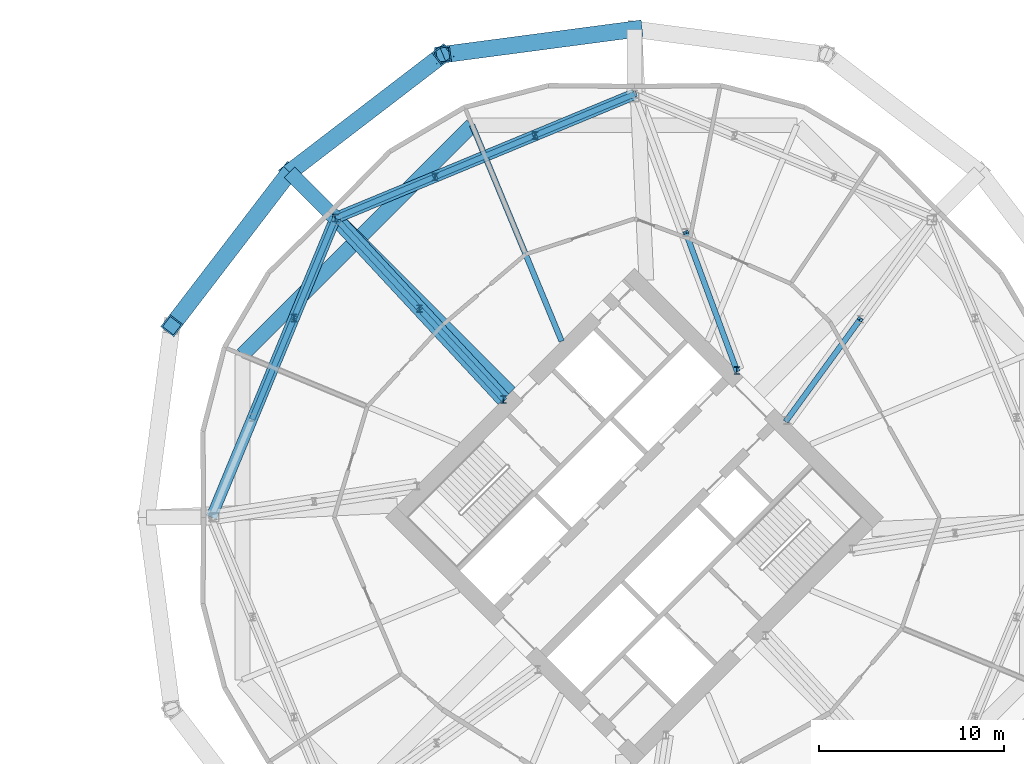
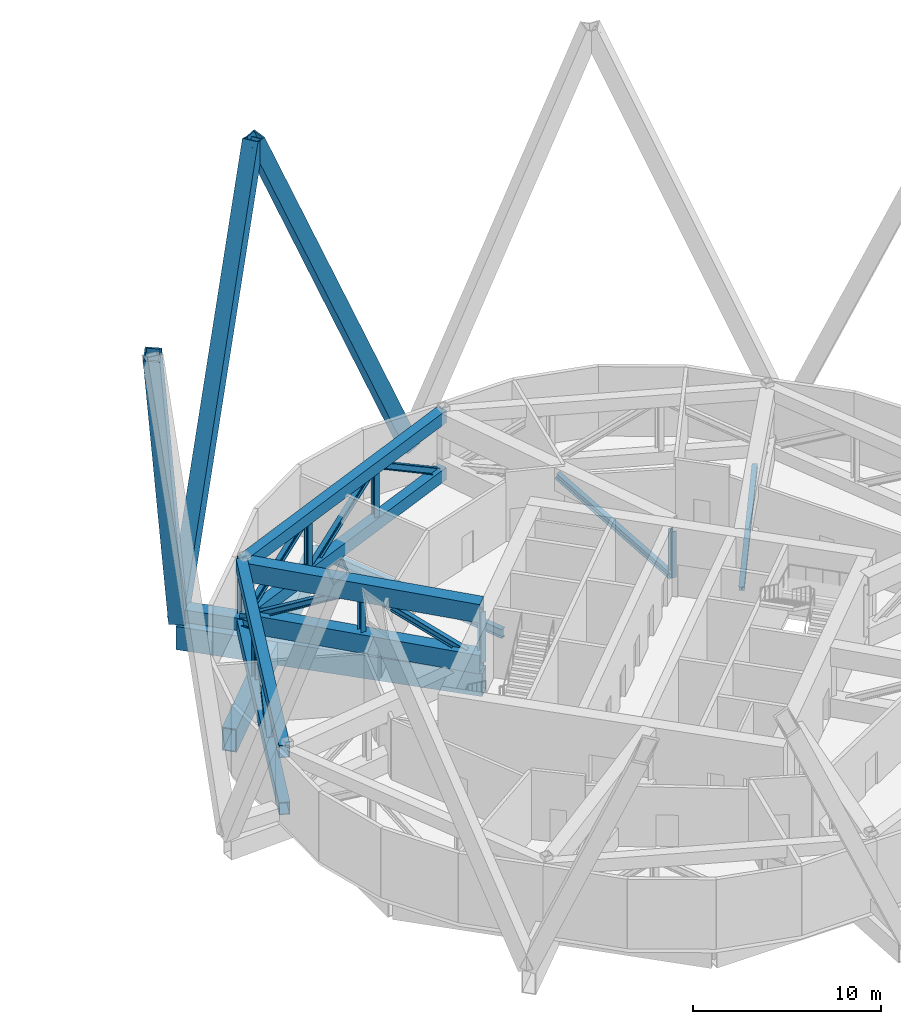
# One storey, part 11 of 21: 25 members, 4 beams.
"""IFC4 building model written with IfcOpenShell, lengths in metres."""

from ifc_helpers import new_model, si_unit, direction, frame, origin, origin_2d, place, context, subcontext, project, spatial, hollow_rectangle, i_section, extrude, material, material_profile, profile_set, type_object, element, save


model = new_model("IFC4")

# Units and contexts
model_context = context("Model", 3, precision=1e-05, world=origin(), true_north=direction((0.0, 1.0)))
body_context = subcontext(model_context, "Body", "Model", "MODEL_VIEW")
ifc_project = project(units=[si_unit("LENGTHUNIT", "METRE"), si_unit("AREAUNIT", "SQUARE_METRE"), si_unit("VOLUMEUNIT", "CUBIC_METRE"), si_unit("PLANEANGLEUNIT", "RADIAN"), si_unit("MASSUNIT", "GRAM", prefix="KILO")], contexts=[model_context])

# Site, building, storey
site_placement = place(None, origin())
site = spatial("IfcSite", under=ifc_project, at=site_placement, CompositionType="ELEMENT")
building_placement = place(site_placement, origin())
building = spatial("IfcBuilding", under=site, at=building_placement, Name="Ogive Gate Towers", CompositionType="ELEMENT")
storey_placement = place(building_placement, frame((0.0, 0.0, 71.39990234375)))
storey = spatial("IfcBuildingStorey", under=building, at=storey_placement, Name="L16", CompositionType="ELEMENT", Elevation=71.39990234375)

# Members
ifc_material_1 = material(Name="Steel SM460", Category="steel")
ifc_material_profile_1 = material_profile(ifc_material_1, hollow_rectangle(XDim=0.89990234375, YDim=0.89990234375, WallThickness=0.080078125, at=origin_2d()), Name="BX 900x900x80")
ifc_profile_set_1 = profile_set([ifc_material_profile_1], Name="Steel SM460")
member_type_1 = type_object("IfcMemberType", Name="Diagrid diagonal BX 900x900x80", PredefinedType="BRACE", material=ifc_profile_set_1)
for number, where, z_axis, x_axis, name in (
    (1, (36.0, 26.330078125, 0.0), (-0.391020203016, -0.05169225596, 0.918929328897), (0.131058173692, -0.991374679477, 0.0), "T2/L16/SDG006"),
    (2, (17.3818359375, 18.6181640625, 0.0), (0.313043448302, 0.239941197331, 0.918929823925), (-0.608337680052, 0.793678314576, 0.0), "T2/L16/SDG007"),
    (3, (17.3818359375, 18.6181640625, 0.0), (-0.239941197331, -0.313043448302, 0.918929823925), (0.793678314576, -0.608337680052, 0.0), "T2/L16/SDG008"),
):
    element("IfcMember", number, at=place(storey_placement, frame(where, z_axis=z_axis, x_axis=x_axis)), inside=storey, type_object=member_type_1, Name=name, PredefinedType="BRACE", context=body_context, shape_type="SweptSolid", body=[
        extrude(hollow_rectangle(XDim=0.89990234375, YDim=0.89990234375, WallThickness=0.080078125, at=origin_2d()), origin(), (0.0, 0.0, 1.0), 26.44384765625),
    ])

# Beams
ifc_material_profile_2 = material_profile(ifc_material_1, hollow_rectangle(XDim=0.800048828125, YDim=1.5, WallThickness=0.06005859375, at=origin_2d()), Name="BX 1500x800x60")
ifc_profile_set_2 = profile_set([ifc_material_profile_2], Name="Steel SM460")
beam_type_1 = type_object("IfcBeamType", Name="Edge girder BX 1500x800x60", PredefinedType="BEAM", material=ifc_profile_set_2)
beam_1_placement = place(storey_placement, frame((27.236572265625, 21.15673828125, -1.0498046875), z_axis=(-0.707106781187, -0.707106781187, 0.0), x_axis=(0.707106781187, -0.707106781187, 0.0)))
element("IfcBeam", 4, at=beam_1_placement, inside=storey, type_object=beam_type_1, Name="T2/L16/SBM023", PredefinedType="BEAM", context=body_context, shape_type="SweptSolid", body=[
    extrude(hollow_rectangle(XDim=0.800048828125, YDim=1.5, WallThickness=0.06005859375, at=origin_2d()), origin(), (0.0, 0.0, 1.0), 17.52685546875),
])
ifc_material_profile_3 = material_profile(ifc_material_1, hollow_rectangle(XDim=0.800048828125, YDim=0.800048828125, WallThickness=0.050048828125, at=origin_2d()), Name="BX 800x800x50")
ifc_profile_set_3 = profile_set([ifc_material_profile_3], Name="Steel SM460")
beam_type_2 = type_object("IfcBeamType", Name="Node arm BX 800x800x50", PredefinedType="BEAM", material=ifc_profile_set_3)
beam_2_placement = place(storey_placement, frame((19.856689453125, 16.143310546875, 0.4501953125), z_axis=(-0.707106781187, 0.707106781187, 0.0), x_axis=(-0.707106781187, -0.707106781187, 0.0)))
element("IfcBeam", 5, at=beam_2_placement, inside=storey, type_object=beam_type_2, Name="T2/L16/SBM028", PredefinedType="BEAM", context=body_context, shape_type="SweptSolid", body=[
    extrude(hollow_rectangle(XDim=0.800048828125, YDim=0.800048828125, WallThickness=0.050048828125, at=origin_2d()), origin(), (0.0, 0.0, 1.0), 3.5),
])
ifc_material_2 = material(Name="Steel SM355", Category="steel")
ifc_material_profile_4 = material_profile(ifc_material_2, i_section(OverallWidth=0.300048828125, OverallDepth=0.590087890625, WebThickness=0.012939453125, FlangeThickness=0.02490234375, FilletRadius=0.027099609375, at=origin_2d()), Name="HE 600 A")
ifc_profile_set_4 = profile_set([ifc_material_profile_4], Name="Steel SM355")
beam_type_3 = type_object("IfcBeamType", Name="Radial floor beam HE 600 A", PredefinedType="BEAM", material=ifc_profile_set_4)
beam_3_placement = place(storey_placement, frame((32.06494140625, 9.5, -0.594970703125), z_axis=(-0.382682759347, 0.923879811284, 0.0), x_axis=(-0.923879811284, -0.382682759347, 0.0)))
element("IfcBeam", 6, at=beam_3_placement, inside=storey, type_object=beam_type_3, Name="T2/L16/SBM013", PredefinedType="BEAM", context=body_context, shape_type="SweptSolid", body=[
    extrude(i_section(OverallWidth=0.300048828125, OverallDepth=0.590087890625, WebThickness=0.012939453125, FlangeThickness=0.02490234375, FilletRadius=0.027099609375, at=origin_2d()), origin(), (0.0, 0.0, 1.0), 12.6171875),
])
ifc_material_profile_5 = material_profile(ifc_material_1, hollow_rectangle(XDim=0.800048828125, YDim=1.5, WallThickness=0.06005859375, at=origin_2d()), Name="BX 1500x800x60")
ifc_profile_set_5 = profile_set([ifc_material_profile_5], Name="Steel SM460")
beam_type_4 = type_object("IfcBeamType", Name="Transfer radial beam BX 1500x800x60", PredefinedType="BEAM", material=ifc_profile_set_5)
beam_4_placement = place(storey_placement, frame((29.282470703125, 6.717529296875, -1.0498046875), z_axis=(-0.707106781187, 0.707106781187, 0.0), x_axis=(-0.707106781187, -0.707106781187, 0.0)))
element("IfcBeam", 7, at=beam_4_placement, inside=storey, type_object=beam_type_4, Name="T2/L16/SBM014", PredefinedType="BEAM", context=body_context, shape_type="SweptSolid", body=[
    extrude(hollow_rectangle(XDim=0.800048828125, YDim=1.5, WallThickness=0.06005859375, at=origin_2d()), origin(), (0.0, 0.0, 1.0), 16.830078125),
])

# Members
ifc_material_profile_6 = material_profile(ifc_material_1, hollow_rectangle(XDim=0.800048828125, YDim=1.199951171875, WallThickness=0.050048828125, at=origin_2d()), Name="BX 1200x800x50")
ifc_profile_set_6 = profile_set([ifc_material_profile_6], Name="Steel SM460")
member_type_2 = type_object("IfcMemberType", Name="Truss chord BX 1200x800x50", PredefinedType="CHORD", material=ifc_profile_set_6)
for number, where, z_axis, x_axis, name in (
    (8, (28.928955078125, 6.364013671875, 0.60009765625), (-0.680108448598, 0.733111518219, 0.0), (-0.733111518219, -0.680108448598, 0.0), "T2/L16/STR052"),
    (9, (28.928955078125, 6.364013671875, 3.900146484375), (-0.680108448598, 0.733111518219, 0.0), (-0.733111518219, -0.680108448598, 0.0), "T2/L16/STR053"),
):
    element("IfcMember", number, at=place(storey_placement, frame(where, z_axis=z_axis, x_axis=x_axis)), inside=storey, type_object=member_type_2, Name=name, PredefinedType="CHORD", context=body_context, shape_type="SweptSolid", body=[
        extrude(hollow_rectangle(XDim=0.800048828125, YDim=1.199951171875, WallThickness=0.050048828125, at=origin_2d()), origin(), (0.0, 0.0, 1.0), 13.33935546875),
    ])
ifc_material_profile_7 = material_profile(ifc_material_1, hollow_rectangle(XDim=0.60009765625, YDim=0.800048828125, WallThickness=0.0400390625, at=origin_2d()), Name="BX 800x600x40")
ifc_profile_set_7 = profile_set([ifc_material_profile_7], Name="Steel SM460")
member_type_3 = type_object("IfcMemberType", Name="Truss chord BX 800x600x40", PredefinedType="CHORD", material=ifc_profile_set_7)
for number, where, z_axis, x_axis, name in (
    (10, (36.0, 22.830078125, 0.400146484375), (-0.923879746828, -0.382682914959, 0.0), (0.382682914959, -0.923879746828, 0.0), "T2/L16/STR030"),
    (11, (36.0, 22.830078125, 4.10009765625), (-0.923879746828, -0.382682914959, 0.0), (0.382682914959, -0.923879746828, 0.0), "T2/L16/STR031"),
    (12, (19.856689453125, 16.143310546875, 0.400146484375), (-0.382682914959, -0.923879746828, 0.0), (0.923879746828, -0.382682914959, 0.0), "T2/L16/STR044"),
    (13, (19.856689453125, 16.143310546875, 4.10009765625), (-0.382682914959, -0.923879746828, 0.0), (0.923879746828, -0.382682914959, 0.0), "T2/L16/STR045"),
):
    element("IfcMember", number, at=place(storey_placement, frame(where, z_axis=z_axis, x_axis=x_axis)), inside=storey, type_object=member_type_3, Name=name, PredefinedType="CHORD", context=body_context, shape_type="SweptSolid", body=[
        extrude(hollow_rectangle(XDim=0.60009765625, YDim=0.800048828125, WallThickness=0.0400390625, at=origin_2d()), origin(), (0.0, 0.0, 1.0), 17.473388671875),
    ])
ifc_material_profile_8 = material_profile(ifc_material_1, i_section(OverallWidth=0.300048828125, OverallDepth=0.39990234375, WebThickness=0.013427734375, FlangeThickness=0.02392578125, FilletRadius=0.027099609375, at=origin_2d()), Name="HE 400 B")
ifc_profile_set_8 = profile_set([ifc_material_profile_8], Name="Steel SM460")
member_type_4 = type_object("IfcMemberType", Name="Truss diagonal HE 400 B", PredefinedType="BRACE", material=ifc_profile_set_8)
member_1_placement = place(storey_placement, frame((44.202392578125, 5.232666015625, 0.60009765625), z_axis=(0.528617879208, 0.726309199466, 0.439360995712), x_axis=(-0.808527927698, 0.588457806586, 0.0)))
element("IfcMember", 14, at=member_1_placement, inside=storey, type_object=member_type_4, Name="T2/L16/STR026", PredefinedType="BRACE", context=body_context, shape_type="SweptSolid", body=[
    extrude(i_section(OverallWidth=0.300048828125, OverallDepth=0.39990234375, WebThickness=0.013427734375, FlangeThickness=0.02392578125, FilletRadius=0.027099609375, at=origin_2d()), origin(), (0.0, 0.0, 1.0), 7.510986328125),
])
for number, where, z_axis, x_axis, name in (
    (15, (36.0, 22.830078125, 0.400146484375), (-0.779834268576, -0.323029212472, 0.536200187844), (0.382694840836, -0.923874806885, 0.0), "T2/L16/STR032"),
    (16, (30.618896484375, 20.60107421875, 4.10009765625), (-0.779834268576, -0.323029212472, -0.536200187844), (0.382694840836, -0.923874806885, 0.0), "T2/L16/STR033"),
):
    element("IfcMember", number, at=place(storey_placement, frame(where, z_axis=z_axis, x_axis=x_axis)), inside=storey, type_object=member_type_4, Name=name, PredefinedType="BRACE", context=body_context, shape_type="SweptSolid", body=[
        extrude(i_section(OverallWidth=0.300048828125, OverallDepth=0.39990234375, WebThickness=0.013427734375, FlangeThickness=0.02392578125, FilletRadius=0.027099609375, at=origin_2d()), origin(), (0.0, 0.0, 1.0), 6.900390625),
    ])
member_2_placement = place(storey_placement, frame((25.23779296875, 18.3720703125, 4.10009765625), z_axis=(-0.779843181061, -0.322997522794, -0.53620631591), x_axis=(0.382659062633, -0.923889626408, 0.0)))
element("IfcMember", 17, at=member_2_placement, inside=storey, type_object=member_type_4, Name="T2/L16/STR034", PredefinedType="BRACE", context=body_context, shape_type="SweptSolid", body=[
    extrude(i_section(OverallWidth=0.300048828125, OverallDepth=0.39990234375, WebThickness=0.013427734375, FlangeThickness=0.02392578125, FilletRadius=0.027099609375, at=origin_2d()), origin(), (0.0, 0.0, 1.0), 6.900146484375),
])
member_3_placement = place(storey_placement, frame((41.515380859375, 7.919677734375, 0.75), z_axis=(-0.324571744131, 0.877478776341, 0.353106471171), x_axis=(-0.937895024753, -0.346919187339, 0.0)))
element("IfcMember", 18, at=member_3_placement, inside=storey, type_object=member_type_4, Name="T2/L16/STR040", PredefinedType="BRACE", context=body_context, shape_type="SweptSolid", body=[
    extrude(i_section(OverallWidth=0.300048828125, OverallDepth=0.39990234375, WebThickness=0.013427734375, FlangeThickness=0.02392578125, FilletRadius=0.027099609375, at=origin_2d()), origin(), (0.0, 0.0, 1.0), 8.49609375),
])
member_4_placement = place(storey_placement, frame((19.856689453125, 16.143310546875, 0.400146484375), z_axis=(-0.322997522794, -0.779843181061, 0.53620631591), x_axis=(0.923889626408, -0.382659062633, 0.0)))
element("IfcMember", 19, at=member_4_placement, inside=storey, type_object=member_type_4, Name="T2/L16/STR046", PredefinedType="BRACE", context=body_context, shape_type="SweptSolid", body=[
    extrude(i_section(OverallWidth=0.300048828125, OverallDepth=0.39990234375, WebThickness=0.013427734375, FlangeThickness=0.02392578125, FilletRadius=0.027099609375, at=origin_2d()), origin(), (0.0, 0.0, 1.0), 6.900146484375),
])
member_5_placement = place(storey_placement, frame((17.6279296875, 10.76220703125, 4.10009765625), z_axis=(-0.323029212472, -0.779834268576, -0.536200187844), x_axis=(0.923874806885, -0.382694840836, 0.0)))
element("IfcMember", 20, at=member_5_placement, inside=storey, type_object=member_type_4, Name="T2/L16/STR047", PredefinedType="BRACE", context=body_context, shape_type="SweptSolid", body=[
    extrude(i_section(OverallWidth=0.300048828125, OverallDepth=0.39990234375, WebThickness=0.013427734375, FlangeThickness=0.02392578125, FilletRadius=0.027099609375, at=origin_2d()), origin(), (0.0, 0.0, 1.0), 6.900390625),
])
for number, where, z_axis, x_axis, name in (
    (21, (28.928955078125, 6.364013671875, 0.60009765625), (-0.60957477944, 0.657080930174, 0.443467292449), (-0.733111518219, -0.680108448598, 0.0), "T2/L16/STR054"),
    (22, (24.392822265625, 11.253662109375, 3.900146484375), (-0.60957477944, 0.657080930174, -0.443467292449), (-0.733111518219, -0.680108448598, 0.0), "T2/L16/STR055"),
):
    element("IfcMember", number, at=place(storey_placement, frame(where, z_axis=z_axis, x_axis=x_axis)), inside=storey, type_object=member_type_4, Name=name, PredefinedType="BRACE", context=body_context, shape_type="SweptSolid", body=[
        extrude(i_section(OverallWidth=0.300048828125, OverallDepth=0.39990234375, WebThickness=0.013427734375, FlangeThickness=0.02392578125, FilletRadius=0.027099609375, at=origin_2d()), origin(), (0.0, 0.0, 1.0), 7.44140625),
    ])
ifc_material_profile_9 = material_profile(ifc_material_1, i_section(OverallWidth=0.300048828125, OverallDepth=0.39990234375, WebThickness=0.013427734375, FlangeThickness=0.02392578125, FilletRadius=0.027099609375, at=origin_2d()), Name="HE 400 B")
ifc_profile_set_9 = profile_set([ifc_material_profile_9], Name="Steel SM460")
member_type_5 = type_object("IfcMemberType", Name="Truss post HE 400 B", PredefinedType="POST", material=ifc_profile_set_9)
for number, where, z_axis, x_axis, name in (
    (23, (30.618896484375, 20.60107421875, 0.400146484375), (0.0, 0.0, 1.0), (1.0, 0.0, 0.0), "T2/L16/STR035"),
    (24, (25.23779296875, 18.3720703125, 0.400146484375), (0.0, 0.0, 1.0), (1.0, 0.0, 0.0), "T2/L16/STR036"),
    (25, (19.856689453125, 16.143310546875, 0.400146484375), (0.0, 0.0, 1.0), (1.0, 0.0, 0.0), "T2/L16/STR037"),
):
    element("IfcMember", number, at=place(storey_placement, frame(where, z_axis=z_axis, x_axis=x_axis)), inside=storey, type_object=member_type_5, Name=name, PredefinedType="POST", context=body_context, shape_type="SweptSolid", body=[
        extrude(i_section(OverallWidth=0.300048828125, OverallDepth=0.39990234375, WebThickness=0.013427734375, FlangeThickness=0.02392578125, FilletRadius=0.027099609375, at=origin_2d()), origin(), (0.0, 0.0, 1.0), 3.699951171875),
    ])
member_6_placement = place(storey_placement, frame((41.515380859375, 7.919677734375, 0.75), z_axis=(0.0, 0.0, 1.0), x_axis=(1.0, 0.0, 0.0)))
element("IfcMember", 26, at=member_6_placement, inside=storey, type_object=member_type_5, Name="T2/L16/STR042", PredefinedType="POST", context=body_context, shape_type="SweptSolid", body=[
    extrude(i_section(OverallWidth=0.300048828125, OverallDepth=0.39990234375, WebThickness=0.013427734375, FlangeThickness=0.02392578125, FilletRadius=0.027099609375, at=origin_2d()), origin(), (0.0, 0.0, 1.0), 3.0),
])
member_7_placement = place(storey_placement, frame((17.6279296875, 10.76220703125, 0.400146484375), z_axis=(0.0, 0.0, 1.0), x_axis=(1.0, 0.0, 0.0)))
element("IfcMember", 27, at=member_7_placement, inside=storey, type_object=member_type_5, Name="T2/L16/STR049", PredefinedType="POST", context=body_context, shape_type="SweptSolid", body=[
    extrude(i_section(OverallWidth=0.300048828125, OverallDepth=0.39990234375, WebThickness=0.013427734375, FlangeThickness=0.02392578125, FilletRadius=0.027099609375, at=origin_2d()), origin(), (0.0, 0.0, 1.0), 3.699951171875),
])
for number, where, z_axis, x_axis, name in (
    (28, (28.928955078125, 6.364013671875, 0.60009765625), (0.0, 0.0, 1.0), (1.0, 0.0, 0.0), "T2/L16/STR056"),
    (29, (24.392822265625, 11.253662109375, 0.60009765625), (0.0, 0.0, 1.0), (1.0, 0.0, 0.0), "T2/L16/STR057"),
):
    element("IfcMember", number, at=place(storey_placement, frame(where, z_axis=z_axis, x_axis=x_axis)), inside=storey, type_object=member_type_5, Name=name, PredefinedType="POST", context=body_context, shape_type="SweptSolid", body=[
        extrude(i_section(OverallWidth=0.300048828125, OverallDepth=0.39990234375, WebThickness=0.013427734375, FlangeThickness=0.02392578125, FilletRadius=0.027099609375, at=origin_2d()), origin(), (0.0, 0.0, 1.0), 3.300048828125),
    ])

save(model, "model.ifc")
